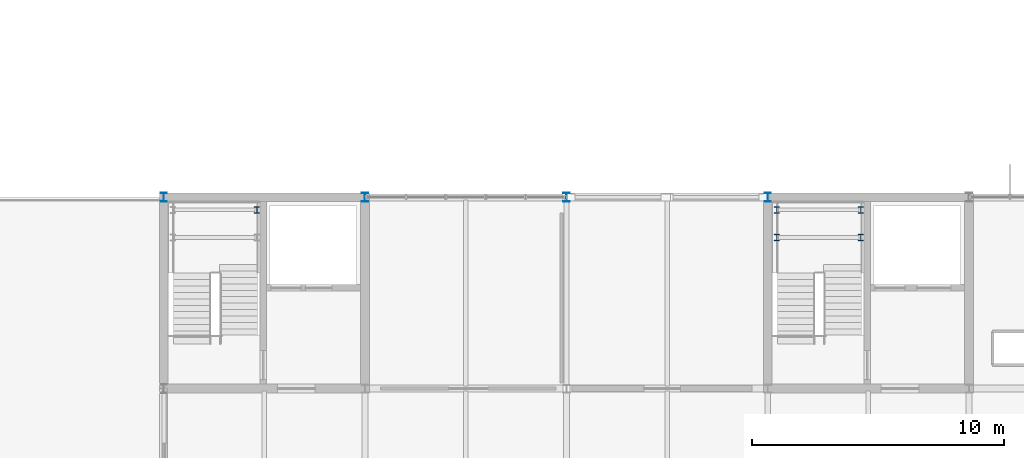
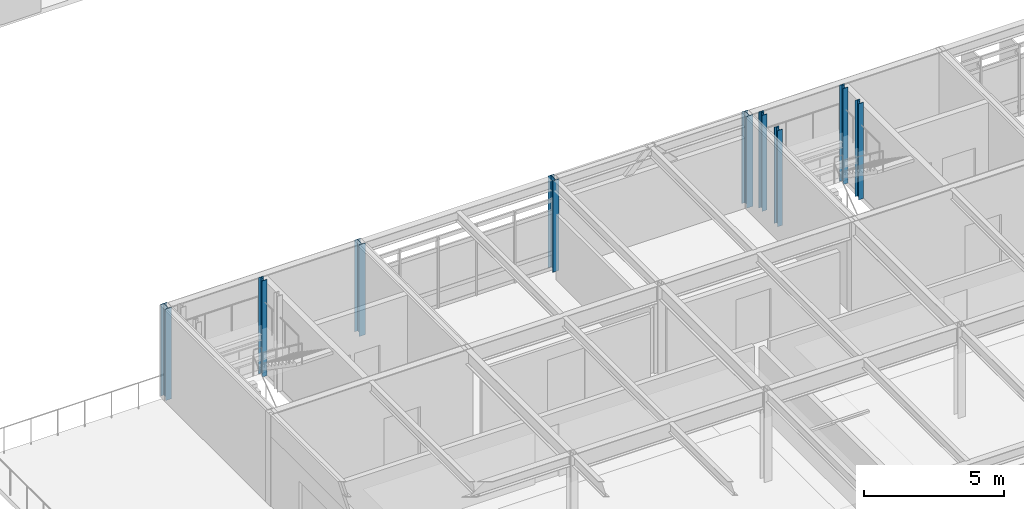
# One storey, part 2 of 21: 9 columns.
"""IFC4 building model written with IfcOpenShell, lengths in metres."""

from ifc_helpers import new_model, si_unit, direction, frame, origin, origin_2d, place, context, subcontext, project, spatial, i_section, extrude, material, material_profile, profile_set, type_object, element, save


model = new_model("IFC4")

# Units and contexts
model_context = context("Model", 3, precision=1e-05, world=origin(), true_north=direction((0.0, 1.0)))
body_context = subcontext(model_context, "Body", "Model", "MODEL_VIEW")
ifc_project = project(units=[si_unit("LENGTHUNIT", "METRE"), si_unit("AREAUNIT", "SQUARE_METRE"), si_unit("VOLUMEUNIT", "CUBIC_METRE"), si_unit("PLANEANGLEUNIT", "RADIAN"), si_unit("MASSUNIT", "GRAM", prefix="KILO")], contexts=[model_context])

# Site, building, storey
site_placement = place(None, origin())
site = spatial("IfcSite", under=ifc_project, at=site_placement, CompositionType="ELEMENT")
building_placement = place(site_placement, origin())
building = spatial("IfcBuilding", under=site, at=building_placement, Name="Zulena Civic Courthouse", CompositionType="ELEMENT")
storey_placement = place(building_placement, frame((0.0, 0.0, 37.800048828125)))
storey = spatial("IfcBuildingStorey", under=building, at=storey_placement, Name="L08", CompositionType="ELEMENT", Elevation=37.800048828125)

# Columns
ifc_material = material(Name="Steel ASTM A992 Grade 50", Category="steel")
ifc_material_profile_1 = material_profile(ifc_material, i_section(OverallWidth=0.2041015625, OverallDepth=0.257080078125, WebThickness=0.0087890625, FlangeThickness=0.015625, FilletRadius=0.0126953125, at=origin_2d()), Name="W10X45")
ifc_profile_set_1 = profile_set([ifc_material_profile_1], Name="Steel ASTM A992 Grade 50")
column_type_1 = type_object("IfcColumnType", Name="Col_W10X45", PredefinedType="COLUMN", material=ifc_profile_set_1)
for number, where, z_axis, x_axis, name in (
    (1, (23.699951171875, 22.300048828125, 0.0), (0.0, 0.0, 1.0), (1.0, 0.0, 0.0), "col:lnd:K2A:L08:1:1"),
    (2, (44.360107421875, 21.199951171875, 0.0), (0.0, 0.0, 1.0), (1.0, 0.0, 0.0), "col:lnd:K2B:L08:0:0"),
    (3, (47.699951171875, 21.199951171875, 0.0), (0.0, 0.0, 1.0), (1.0, 0.0, 0.0), "col:lnd:K2B:L08:0:1"),
    (4, (44.360107421875, 22.300048828125, 0.0), (0.0, 0.0, 1.0), (1.0, 0.0, 0.0), "col:lnd:K2B:L08:1:0"),
    (5, (47.699951171875, 22.300048828125, 0.0), (0.0, 0.0, 1.0), (1.0, 0.0, 0.0), "col:lnd:K2B:L08:1:1"),
):
    element("IfcColumn", number, at=place(storey_placement, frame(where, z_axis=z_axis, x_axis=x_axis)), inside=storey, type_object=column_type_1, Name=name, PredefinedType="COLUMN", context=body_context, shape_type="SweptSolid", body=[
        extrude(i_section(OverallWidth=0.2041015625, OverallDepth=0.257080078125, WebThickness=0.0087890625, FlangeThickness=0.015625, FilletRadius=0.0126953125, at=origin_2d()), origin(), (0.0, 0.0, 1.0), 4.195068359375),
    ])
ifc_material_profile_2 = material_profile(ifc_material, i_section(OverallWidth=0.2548828125, OverallDepth=0.35693359375, WebThickness=0.010498046875, FlangeThickness=0.018310546875, FilletRadius=0.01513671875, at=origin_2d()), Name="W14X68")
ifc_profile_set_2 = profile_set([ifc_material_profile_2], Name="Steel ASTM A992 Grade 50")
column_type_2 = type_object("IfcColumnType", Name="Col_W14X68", PredefinedType="COLUMN", material=ifc_profile_set_2)
for number, where, z_axis, x_axis, name in (
    (6, (20.0, 22.800048828125, 0.0), (0.0, 0.0, 1.0), (1.0, 0.0, 0.0), "col:V2:L08:20.0:22.8"),
    (7, (28.0, 22.800048828125, 0.0), (0.0, 0.0, 1.0), (1.0, 0.0, 0.0), "col:V2:L08:28.0:22.8"),
    (8, (36.0, 22.800048828125, 0.0), (0.0, 0.0, 1.0), (1.0, 0.0, 0.0), "col:V2:L08:36.0:22.8"),
    (9, (44.0, 22.800048828125, 0.0), (0.0, 0.0, 1.0), (1.0, 0.0, 0.0), "col:V2:L08:44.0:22.8"),
):
    element("IfcColumn", number, at=place(storey_placement, frame(where, z_axis=z_axis, x_axis=x_axis)), inside=storey, type_object=column_type_2, Name=name, PredefinedType="COLUMN", context=body_context, shape_type="SweptSolid", body=[
        extrude(i_section(OverallWidth=0.2548828125, OverallDepth=0.35693359375, WebThickness=0.010498046875, FlangeThickness=0.018310546875, FilletRadius=0.01513671875, at=origin_2d()), origin(), (0.0, 0.0, 1.0), 4.0),
    ])

save(model, "model.ifc")
